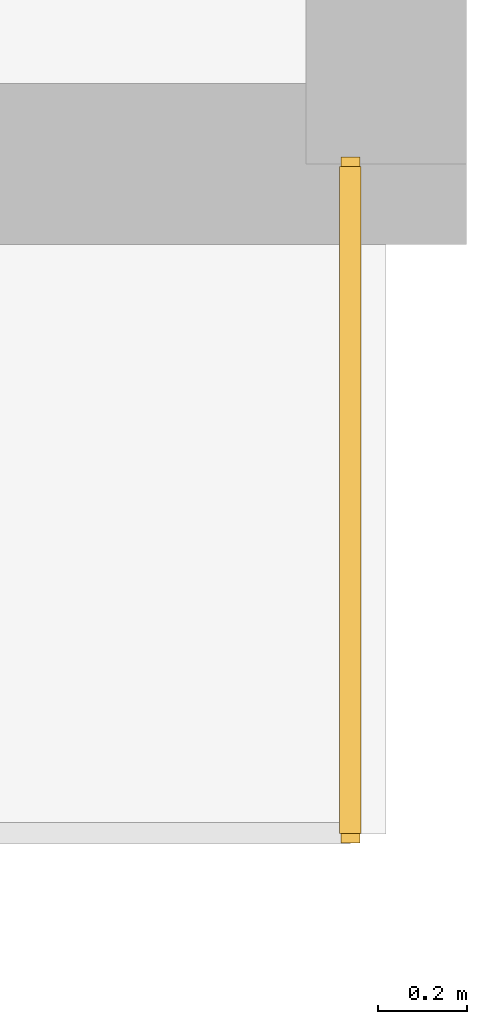
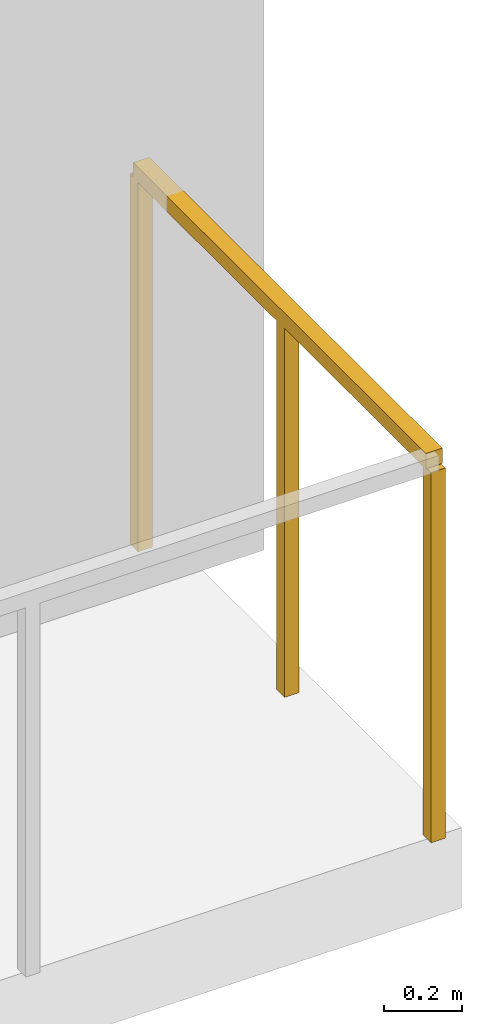
# One storey, part 35 of 35: 1 railing.
"""IFC4 building model written with IfcOpenShell, lengths in metres."""

import ifcopenshell
import ifcopenshell.guid

model = None  # the IFC model being written
_history = None  # IfcOwnerHistory: only IFC2X3 demands one
_inside = {}  # id of a spatial element -> (the spatial element, [elements in it])
_under = {}  # id of a project, library or spatial element -> (it, [spatial elements below it])
_declared = {}  # id of a project -> (the project, [libraries it declares])
_typed = {}  # id of a type object -> (the type object, [elements of that type])
_made_of = {}  # id of a material, layer set ... -> (it, [elements and type objects made of it])


def new_model(schema):
    """Start an empty IFC model of exactly this schema.

    Asked for "IFC4X3", IfcOpenShell would pick the latest addendum, in which some entities
    have other attributes; the version numbers below select the first issue.
    IFC2X3 requires an IfcOwnerHistory on every rooted entity: one is made here for all.
    """
    global model, _history
    if schema == "IFC4X3":
        model = ifcopenshell.file(schema_version=(4, 3, 0, 0))
    else:
        model = ifcopenshell.file(schema=schema)
    _inside.clear()
    _under.clear()
    _declared.clear()
    _typed.clear()
    _made_of.clear()
    _history = None
    if model.schema == "IFC2X3":
        org = make("IfcOrganization", Name="unknown")
        user = make(
            "IfcPersonAndOrganization",
            ThePerson=make("IfcPerson", FamilyName="unknown"),
            TheOrganization=org,
        )
        app = make(
            "IfcApplication",
            ApplicationDeveloper=org,
            Version="unknown",
            ApplicationFullName="unknown",
            ApplicationIdentifier="unknown",
        )
        _history = make(
            "IfcOwnerHistory",
            OwningUser=user,
            OwningApplication=app,
            ChangeAction="ADDED",
            CreationDate=0,
        )
    return model


def make(cls, **values):
    """One entity of the class cls with the attributes given. An attribute that is None is left unset."""
    return model.create_entity(
        cls, **{name: value for name, value in values.items() if value is not None}
    )


def rooted(cls, **values):
    """An entity with a GlobalId (a new one), such as an element, a storey or a relation."""
    return make(cls, GlobalId=ifcopenshell.guid.new(), OwnerHistory=_history, **values)


def si_unit(unit_type, name, prefix=None):
    """IfcSIUnit, for example si_unit("LENGTHUNIT", "METRE", prefix="MILLI")."""
    return make("IfcSIUnit", UnitType=unit_type, Prefix=prefix, Name=name)


def assignment(units):
    """IfcUnitAssignment: the units of a project."""
    return None if units is None else make("IfcUnitAssignment", Units=units)


def point(xyz):
    """IfcCartesianPoint."""
    return None if xyz is None else make("IfcCartesianPoint", Coordinates=xyz)


def direction(xyz):
    """IfcDirection."""
    return None if xyz is None else make("IfcDirection", DirectionRatios=xyz)


def frame(location, z_axis=None, x_axis=None):
    """IfcAxis2Placement3D, a coordinate frame: its origin and axes. An axis left out is left unset."""
    return make(
        "IfcAxis2Placement3D",
        Location=point(location),
        Axis=direction(z_axis),
        RefDirection=direction(x_axis),
    )


def frame_2d(location, x_axis=None):
    """IfcAxis2Placement2D, a coordinate frame in the plane: its origin and x axis."""
    return make(
        "IfcAxis2Placement2D", Location=point(location), RefDirection=direction(x_axis)
    )


def origin():
    """The frame at (0, 0, 0) with its axes left unset."""
    return frame((0.0, 0.0, 0.0))


def origin_2d():
    """The frame at (0, 0) in the plane with its x axis left unset."""
    return frame_2d((0.0, 0.0))


def place(relative_to, where):
    """IfcLocalPlacement: puts the frame where relative to a parent placement (None: the world)."""
    return make(
        "IfcLocalPlacement", PlacementRelTo=relative_to, RelativePlacement=where
    )


def context(
    kind, dimensions, precision=None, world=None, true_north=None, identifier=None
):
    """IfcGeometricRepresentationContext, for example the 3D "Model" context."""
    return make(
        "IfcGeometricRepresentationContext",
        ContextIdentifier=identifier,
        ContextType=kind,
        CoordinateSpaceDimension=dimensions,
        Precision=precision,
        WorldCoordinateSystem=world,
        TrueNorth=true_north,
    )


def subcontext(parent, identifier, kind, view, scale=None):
    """IfcGeometricRepresentationSubContext, for example "Body" below "Model"."""
    return make(
        "IfcGeometricRepresentationSubContext",
        ContextIdentifier=identifier,
        ContextType=kind,
        ParentContext=parent,
        TargetScale=scale,
        TargetView=view,
    )


def project(units=None, contexts=None):
    """IfcProject with its units and contexts."""
    return rooted(
        "IfcProject",
        Name="project",
        RepresentationContexts=contexts,
        UnitsInContext=assignment(units),
    )


def spatial(cls, under=None, at=None, **own):
    """A site, building, storey or space (cls), placed at a placement, below another one or the project."""
    s = rooted(cls, ObjectPlacement=at, **own)
    if under is not None:
        _under.setdefault(under.id(), (under, []))[1].append(s)
    return s


def profile(cls, at=None, kind="AREA", **sizes):
    """A parametric profile (cls). Its sizes go by their IFC names, for example OverallWidth=200.0."""
    return make(cls, ProfileType=kind, Position=at, **sizes)


def rectangle(**sizes):
    """IfcRectangleProfileDef."""
    return profile("IfcRectangleProfileDef", **sizes)


def extrude(swept, where, along, depth):
    """IfcExtrudedAreaSolid: the profile swept, set in the frame where, extruded along a direction by depth."""
    return make(
        "IfcExtrudedAreaSolid",
        SweptArea=swept,
        Position=where,
        ExtrudedDirection=direction(along),
        Depth=depth,
    )


def shape(context_of_items, identifier, shape_type, items):
    """IfcShapeRepresentation: the items that make up one representation, for example the "Body"."""
    return make(
        "IfcShapeRepresentation",
        ContextOfItems=context_of_items,
        RepresentationIdentifier=identifier,
        RepresentationType=shape_type,
        Items=items,
    )


def material(Name=None, Category=None):
    """IfcMaterial."""
    return make("IfcMaterial", Name=Name, Category=Category)


def made_of(thing, what):
    """Note that an element or type object is made of a material, layer set ...; save() writes the relation."""
    if what is not None:
        _made_of.setdefault(what.id(), (what, []))[1].append(thing)
    return thing


def type_object(cls, material=None, **own):
    """A type object (cls), such as IfcWallType, which elements share."""
    return made_of(rooted(cls, **own), material)


def element(
    cls,
    number,
    at=None,
    inside=None,
    cuts=None,
    type_object=None,
    material=None,
    context=None,
    identifier="Body",
    shape_type=None,
    held_by="IfcProductDefinitionShape",
    body=None,
    shapes=None,
    **own,
):
    """One element of the class cls, such as IfcWall. Its Tag is "e" and its number.

    at: its placement. inside: the storey or other place that contains it. cuts: it is an
    opening in that element (IfcRelVoidsElement). A single representation is given by context,
    identifier, shape_type and body (its items); several are given by shapes. held_by: the class
    of the entity that holds the representations. save() writes the other relations.
    """
    e = rooted(cls, Tag="e%d" % number, ObjectPlacement=at, **own)
    if body is not None:
        shapes = [shape(context, identifier, shape_type, body)]
    if shapes is not None:
        e.Representation = make(held_by, Representations=shapes)
    if inside is not None:
        _inside.setdefault(inside.id(), (inside, []))[1].append(e)
    if cuts is not None:
        rooted(
            "IfcRelVoidsElement", RelatingBuildingElement=cuts, RelatedOpeningElement=e
        )
    if type_object is not None:
        _typed.setdefault(type_object.id(), (type_object, []))[1].append(e)
    return made_of(e, material)


def aggregate(whole, parts):
    """IfcRelAggregates: a whole, such as a stair, and the parts it consists of."""
    return rooted("IfcRelAggregates", RelatingObject=whole, RelatedObjects=parts)


def save(model, path):
    """Write the relations noted so far, then the file.

    IfcRelAggregates (storeys below a building ...), IfcRelContainedInSpatialStructure (elements
    in a storey), IfcRelDefinesByType, IfcRelAssociatesMaterial and IfcRelDeclares: one each for
    every whole, place, type object, material and project.
    """
    for whole, parts in _under.values():
        aggregate(whole, parts)
    for where, things in _inside.values():
        rooted(
            "IfcRelContainedInSpatialStructure",
            RelatedElements=things,
            RelatingStructure=where,
        )
    for kind, things in _typed.values():
        rooted("IfcRelDefinesByType", RelatedObjects=things, RelatingType=kind)
    for what, things in _made_of.values():
        rooted("IfcRelAssociatesMaterial", RelatedObjects=things, RelatingMaterial=what)
    for by, libraries in _declared.values():
        rooted("IfcRelDeclares", RelatingContext=by, RelatedDefinitions=libraries)
    model.write(path)


model = new_model("IFC4")

# Units and contexts
model_context = context("Model", 3, precision=1e-05, world=origin(), true_north=direction((0.0, 1.0)))
body_context = subcontext(model_context, "Body", "Model", "MODEL_VIEW")
ifc_project = project(units=[si_unit("LENGTHUNIT", "METRE"), si_unit("AREAUNIT", "SQUARE_METRE"), si_unit("VOLUMEUNIT", "CUBIC_METRE"), si_unit("PLANEANGLEUNIT", "RADIAN"), si_unit("MASSUNIT", "GRAM", prefix="KILO")], contexts=[model_context])

# Site, building, storey
site_placement = place(None, origin())
site = spatial("IfcSite", under=ifc_project, at=site_placement, CompositionType="ELEMENT")
building_placement = place(site_placement, origin())
building = spatial("IfcBuilding", under=site, at=building_placement, Name="Haevon Station Towers", CompositionType="ELEMENT")
storey_placement = place(building_placement, frame((0.0, 0.0, 20.39990234375)))
storey = spatial("IfcBuildingStorey", under=building, at=storey_placement, Name="L04", CompositionType="ELEMENT", Elevation=20.39990234375)

# Railing
ifc_material = material(Name="Steel S355", Category="steel")
railing_type = type_object("IfcRailingType", Name="GRD-EXT1200", PredefinedType="GUARDRAIL", material=ifc_material)
railing_placement = place(storey_placement, frame((142.419921875, 15.0009765625, 0.0)))
element("IfcRailing", 1, at=railing_placement, inside=storey, type_object=railing_type, Name="L04 Perimeter Guardrail 2", PredefinedType="GUARDRAIL", context=body_context, shape_type="SweptSolid", body=[
    extrude(rectangle(XDim=0.048095703125, YDim=0.048095703125, at=origin_2d()), frame((0.0, 0.0, 1.17578125), z_axis=(0.0, 1.0, 0.0), x_axis=(-1.0, 0.0, 0.0)), (0.0, 0.0, 1.0), 1.4931640625),
    extrude(rectangle(XDim=0.0419921875, YDim=0.0419921875, at=origin_2d()), origin(), (0.0, 0.0, 1.0), 1.15185546875),
    extrude(rectangle(XDim=0.0419921875, YDim=0.0419921875, at=origin_2d()), frame((0.0, 0.74658203125, 0.0)), (0.0, 0.0, 1.0), 1.15185546875),
    extrude(rectangle(XDim=0.0419921875, YDim=0.0419921875, at=origin_2d()), frame((0.0, 1.4931640625, 0.0)), (0.0, 0.0, 1.0), 1.15185546875),
])

save(model, "model.ifc")
